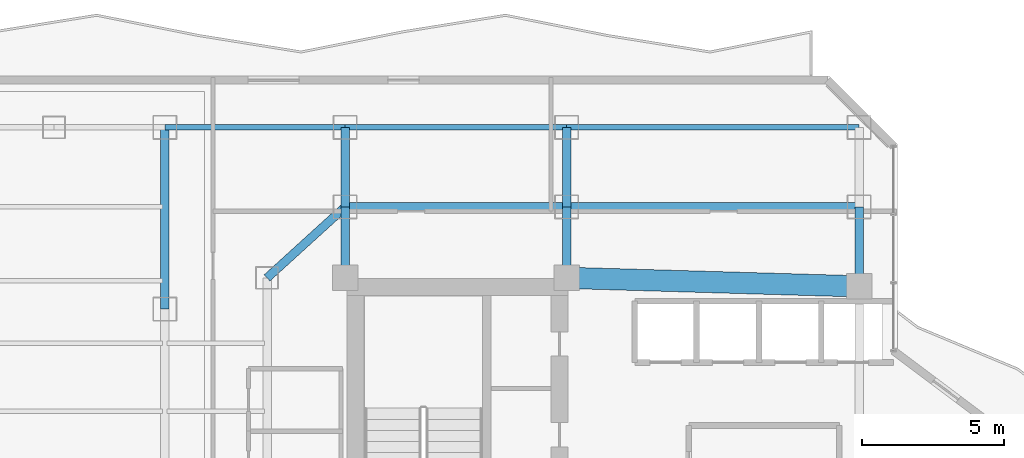
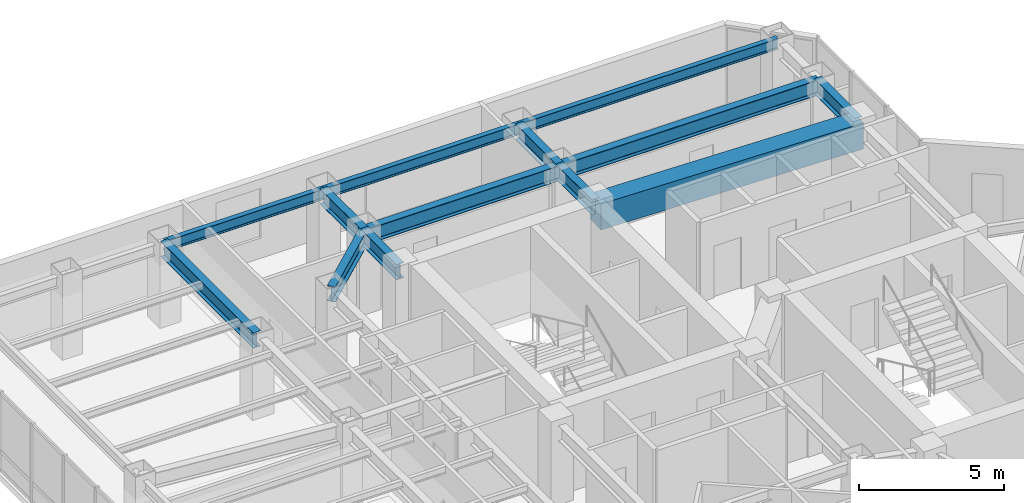
# One storey, part 18 of 27: 13 beams.
"""IFC4 building model written with IfcOpenShell, lengths in metres."""

from ifc_helpers import new_model, si_unit, direction, frame, origin, origin_2d, place, context, subcontext, project, spatial, rectangle, i_section, extrude, material, material_profile, profile_set, type_object, element, save


model = new_model("IFC4")

# Units and contexts
model_context = context("Model", 3, precision=1e-05, world=origin(), true_north=direction((0.0, 1.0)))
body_context = subcontext(model_context, "Body", "Model", "MODEL_VIEW")
ifc_project = project(units=[si_unit("LENGTHUNIT", "METRE"), si_unit("AREAUNIT", "SQUARE_METRE"), si_unit("VOLUMEUNIT", "CUBIC_METRE"), si_unit("PLANEANGLEUNIT", "RADIAN"), si_unit("MASSUNIT", "GRAM", prefix="KILO")], contexts=[model_context])

# Site, building, storey
site_placement = place(None, origin())
site = spatial("IfcSite", under=ifc_project, at=site_placement, CompositionType="ELEMENT")
building_placement = place(site_placement, origin())
building = spatial("IfcBuilding", under=site, at=building_placement, Name="Hatsunagi Terrace Concourse", CompositionType="ELEMENT")
storey_placement = place(building_placement, frame((0.0, 0.0, 156.449951171875)))
storey = spatial("IfcBuildingStorey", under=building, at=storey_placement, Name="L41", CompositionType="ELEMENT", Elevation=156.449951171875)

# Beams
ifc_material_1 = material(Name="Concrete Fc48", Category="concrete")
ifc_material_profile_1 = material_profile(ifc_material_1, rectangle(XDim=0.75, YDim=1.10009765625, at=origin_2d()), Name="RC-750x1100")
ifc_profile_set_1 = profile_set([ifc_material_profile_1], Name="Concrete Fc48")
beam_type_1 = type_object("IfcBeamType", Name="CoreCouplingBeam_RC_750x1100", PredefinedType="BEAM", material=ifc_profile_set_1)
beam_1_placement = place(storey_placement, frame((33.35009765625, 43.300048828125, 2.800048828125), z_axis=(0.999575947545, -0.029119153303, 0.0), x_axis=(0.029119153303, 0.999575947545, 0.0)))
element("IfcBeam", 1, at=beam_1_placement, inside=storey, type_object=beam_type_1, Name="Beam CB-02 CB-L41-2", PredefinedType="BEAM", context=body_context, shape_type="SweptSolid", body=[
    extrude(rectangle(XDim=0.75, YDim=1.10009765625, at=origin_2d()), origin(), (0.0, 0.0, 1.0), 10.30419921875),
])
ifc_material_2 = material(Name="Steel SN490B", Category="steel")
ifc_material_profile_2 = material_profile(ifc_material_2, i_section(OverallWidth=0.300048828125, OverallDepth=0.64990234375, WebThickness=0.012939453125, FlangeThickness=0.02197265625, FilletRadius=0.01806640625, at=origin_2d()), Name="H-650x300x13x22")
ifc_profile_set_2 = profile_set([ifc_material_profile_2], Name="Steel SN490B")
beam_type_2 = type_object("IfcBeamType", Name="OfficeLowGirder_H_650x300", PredefinedType="BEAM", material=ifc_profile_set_2)
for number, where, z_axis, x_axis, name in (
    (2, (25.550048828125, 43.300048828125, 3.025146484375), (0.0, 1.0, 0.0), (-1.0, 0.0, 0.0), "Beam G-05 BM-L41-CN1"),
    (3, (33.35009765625, 43.300048828125, 3.025146484375), (0.0, 1.0, 0.0), (-1.0, 0.0, 0.0), "Beam G-05 BM-L41-CN2"),
):
    element("IfcBeam", number, at=place(storey_placement, frame(where, z_axis=z_axis, x_axis=x_axis)), inside=storey, type_object=beam_type_2, Name=name, PredefinedType="BEAM", context=body_context, shape_type="SweptSolid", body=[
        extrude(i_section(OverallWidth=0.300048828125, OverallDepth=0.64990234375, WebThickness=0.012939453125, FlangeThickness=0.02197265625, FilletRadius=0.01806640625, at=origin_2d()), origin(), (0.0, 0.0, 1.0), 2.5),
    ])
beam_2_placement = place(storey_placement, frame((43.64990234375, 43.0, 3.025146484375), z_axis=(0.0, 1.0, 0.0), x_axis=(-1.0, 0.0, 0.0)))
element("IfcBeam", 4, at=beam_2_placement, inside=storey, type_object=beam_type_2, Name="Beam G-05 BM-L41-CN3", PredefinedType="BEAM", context=body_context, shape_type="SweptSolid", body=[
    extrude(i_section(OverallWidth=0.300048828125, OverallDepth=0.64990234375, WebThickness=0.012939453125, FlangeThickness=0.02197265625, FilletRadius=0.01806640625, at=origin_2d()), origin(), (0.0, 0.0, 1.0), 2.800048828125),
])
beam_3_placement = place(storey_placement, frame((25.550048828125, 45.800048828125, 3.025146484375), z_axis=(1.0, 0.0, 0.0), x_axis=(0.0, 1.0, 0.0)))
element("IfcBeam", 5, at=beam_3_placement, inside=storey, type_object=beam_type_2, Name="Beam G-05 BM-L41-CNEW1", PredefinedType="BEAM", context=body_context, shape_type="SweptSolid", body=[
    extrude(i_section(OverallWidth=0.300048828125, OverallDepth=0.64990234375, WebThickness=0.012939453125, FlangeThickness=0.02197265625, FilletRadius=0.01806640625, at=origin_2d()), origin(), (0.0, 0.0, 1.0), 7.800048828125),
])
beam_4_placement = place(storey_placement, frame((33.35009765625, 45.800048828125, 3.025146484375), z_axis=(1.0, 0.0, 0.0), x_axis=(0.0, 1.0, 0.0)))
element("IfcBeam", 6, at=beam_4_placement, inside=storey, type_object=beam_type_2, Name="Beam G-05 BM-L41-CNEW2", PredefinedType="BEAM", context=body_context, shape_type="SweptSolid", body=[
    extrude(i_section(OverallWidth=0.300048828125, OverallDepth=0.64990234375, WebThickness=0.012939453125, FlangeThickness=0.02197265625, FilletRadius=0.01806640625, at=origin_2d()), origin(), (0.0, 0.0, 1.0), 10.2998046875),
])
for number, where, z_axis, x_axis, name in (
    (7, (25.550048828125, 45.800048828125, 3.025146484375), (0.0, 1.0, 0.0), (-1.0, 0.0, 0.0), "Beam G-05 BM-L41-KN-WN4"),
    (8, (33.35009765625, 45.800048828125, 3.025146484375), (0.0, 1.0, 0.0), (-1.0, 0.0, 0.0), "Beam G-05 BM-L41-KN-WN5"),
):
    element("IfcBeam", number, at=place(storey_placement, frame(where, z_axis=z_axis, x_axis=x_axis)), inside=storey, type_object=beam_type_2, Name=name, PredefinedType="BEAM", context=body_context, shape_type="SweptSolid", body=[
        extrude(i_section(OverallWidth=0.300048828125, OverallDepth=0.64990234375, WebThickness=0.012939453125, FlangeThickness=0.02197265625, FilletRadius=0.01806640625, at=origin_2d()), origin(), (0.0, 0.0, 1.0), 2.800048828125),
    ])
beam_5_placement = place(storey_placement, frame((22.800048828125, 43.300048828125, 3.025146484375), z_axis=(0.739940073396, 0.672672793996, 0.0), x_axis=(-0.672672793996, 0.739940073396, 0.0)))
element("IfcBeam", 9, at=beam_5_placement, inside=storey, type_object=beam_type_2, Name="Beam G-05 BM-L41-CWEW-N", PredefinedType="BEAM", context=body_context, shape_type="SweptSolid", body=[
    extrude(i_section(OverallWidth=0.300048828125, OverallDepth=0.64990234375, WebThickness=0.012939453125, FlangeThickness=0.02197265625, FilletRadius=0.01806640625, at=origin_2d()), origin(), (0.0, 0.0, 1.0), 3.716552734375),
])
beam_6_placement = place(storey_placement, frame((19.199951171875, 42.199951171875, 3.025146484375), z_axis=(0.0, 1.0, 0.0), x_axis=(-1.0, 0.0, 0.0)))
element("IfcBeam", 10, at=beam_6_placement, inside=storey, type_object=beam_type_2, Name="Beam G-05 BM-L41-NS-19-42", PredefinedType="BEAM", context=body_context, shape_type="SweptSolid", body=[
    extrude(i_section(OverallWidth=0.300048828125, OverallDepth=0.64990234375, WebThickness=0.012939453125, FlangeThickness=0.02197265625, FilletRadius=0.01806640625, at=origin_2d()), origin(), (0.0, 0.0, 1.0), 6.400146484375),
])
ifc_material_3 = material(Name="Steel SN490B", Category="steel")
ifc_material_profile_3 = material_profile(ifc_material_3, i_section(OverallWidth=0.199951171875, OverallDepth=0.449951171875, WebThickness=0.009033203125, FlangeThickness=0.013916015625, FilletRadius=0.01611328125, at=origin_2d()), Name="H-450x200x9x14")
ifc_profile_set_3 = profile_set([ifc_material_profile_3], Name="Steel SN490B")
beam_type_3 = type_object("IfcBeamType", Name="PerimeterSpandrel_H_450x200", PredefinedType="SPANDREL", material=ifc_profile_set_3)
beam_7_placement = place(storey_placement, frame((19.199951171875, 48.60009765625, 3.125), z_axis=(1.0, 0.0, 0.0), x_axis=(0.0, 1.0, 0.0)))
element("IfcBeam", 11, at=beam_7_placement, inside=storey, type_object=beam_type_3, Name="Beam SP-02 BM-L41-WN-19", PredefinedType="SPANDREL", context=body_context, shape_type="SweptSolid", body=[
    extrude(i_section(OverallWidth=0.199951171875, OverallDepth=0.449951171875, WebThickness=0.009033203125, FlangeThickness=0.013916015625, FilletRadius=0.01611328125, at=origin_2d()), origin(), (0.0, 0.0, 1.0), 6.35009765625),
])
beam_8_placement = place(storey_placement, frame((25.550048828125, 48.60009765625, 3.125), z_axis=(1.0, 0.0, 0.0), x_axis=(0.0, 1.0, 0.0)))
element("IfcBeam", 12, at=beam_8_placement, inside=storey, type_object=beam_type_3, Name="Beam SP-02 BM-L41-WN-25", PredefinedType="SPANDREL", context=body_context, shape_type="SweptSolid", body=[
    extrude(i_section(OverallWidth=0.199951171875, OverallDepth=0.449951171875, WebThickness=0.009033203125, FlangeThickness=0.013916015625, FilletRadius=0.01611328125, at=origin_2d()), origin(), (0.0, 0.0, 1.0), 7.800048828125),
])
beam_9_placement = place(storey_placement, frame((33.35009765625, 48.60009765625, 3.125), z_axis=(1.0, 0.0, 0.0), x_axis=(0.0, 1.0, 0.0)))
element("IfcBeam", 13, at=beam_9_placement, inside=storey, type_object=beam_type_3, Name="Beam SP-02 BM-L41-WN-33", PredefinedType="SPANDREL", context=body_context, shape_type="SweptSolid", body=[
    extrude(i_section(OverallWidth=0.199951171875, OverallDepth=0.449951171875, WebThickness=0.009033203125, FlangeThickness=0.013916015625, FilletRadius=0.01611328125, at=origin_2d()), origin(), (0.0, 0.0, 1.0), 10.2998046875),
])

save(model, "model.ifc")
